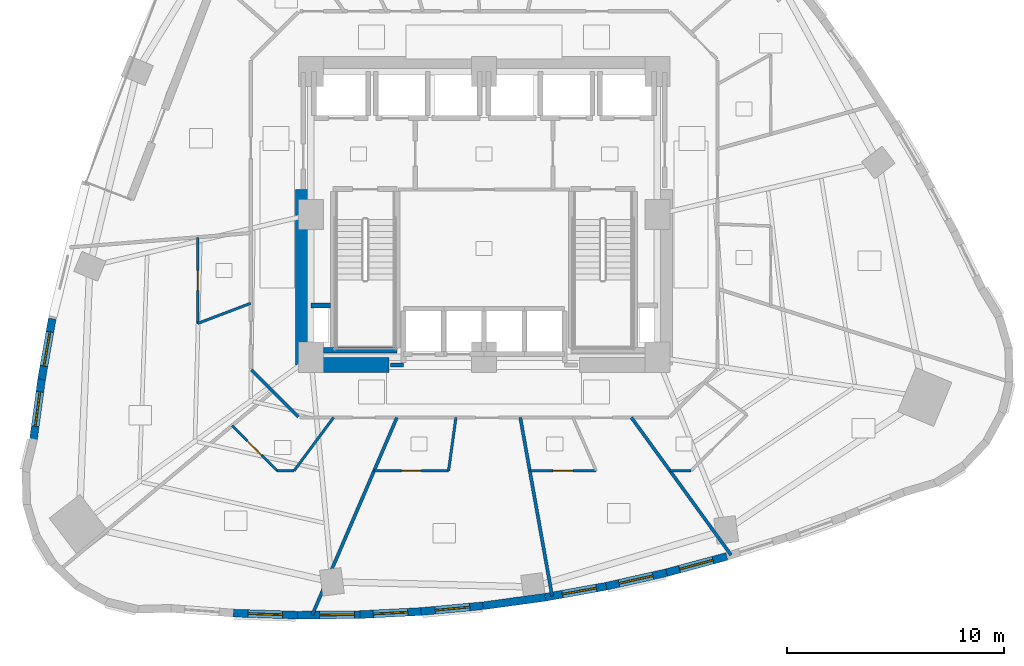
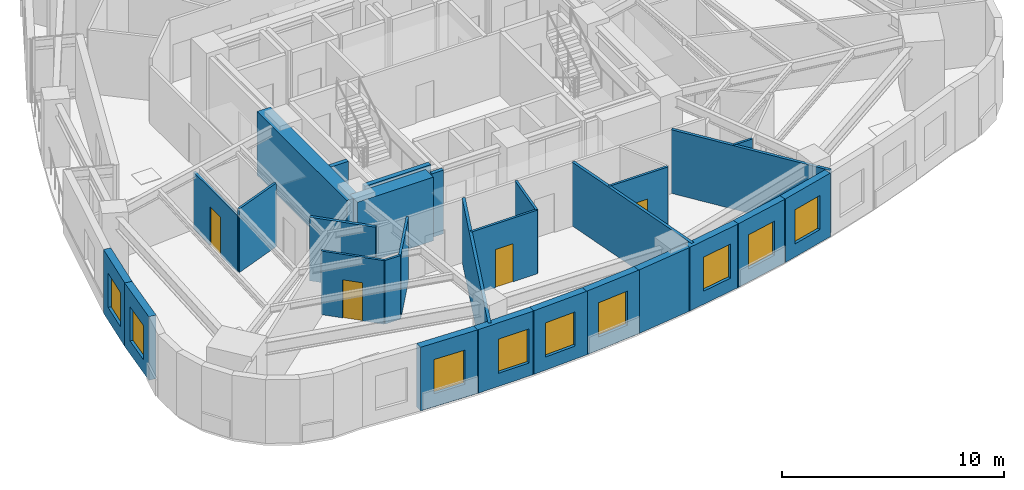
# One storey, part 5 of 12: 28 walls, 9 windows, 4 doors, 13 openings.
"""IFC4 building model written with IfcOpenShell, lengths in metres."""

import ifcopenshell
import ifcopenshell.guid

model = None  # the IFC model being written
_history = None  # IfcOwnerHistory: only IFC2X3 demands one
_inside = {}  # id of a spatial element -> (the spatial element, [elements in it])
_under = {}  # id of a project, library or spatial element -> (it, [spatial elements below it])
_declared = {}  # id of a project -> (the project, [libraries it declares])
_typed = {}  # id of a type object -> (the type object, [elements of that type])
_made_of = {}  # id of a material, layer set ... -> (it, [elements and type objects made of it])


def new_model(schema):
    """Start an empty IFC model of exactly this schema.

    Asked for "IFC4X3", IfcOpenShell would pick the latest addendum, in which some entities
    have other attributes; the version numbers below select the first issue.
    IFC2X3 requires an IfcOwnerHistory on every rooted entity: one is made here for all.
    """
    global model, _history
    if schema == "IFC4X3":
        model = ifcopenshell.file(schema_version=(4, 3, 0, 0))
    else:
        model = ifcopenshell.file(schema=schema)
    _inside.clear()
    _under.clear()
    _declared.clear()
    _typed.clear()
    _made_of.clear()
    _history = None
    if model.schema == "IFC2X3":
        org = make("IfcOrganization", Name="unknown")
        user = make(
            "IfcPersonAndOrganization",
            ThePerson=make("IfcPerson", FamilyName="unknown"),
            TheOrganization=org,
        )
        app = make(
            "IfcApplication",
            ApplicationDeveloper=org,
            Version="unknown",
            ApplicationFullName="unknown",
            ApplicationIdentifier="unknown",
        )
        _history = make(
            "IfcOwnerHistory",
            OwningUser=user,
            OwningApplication=app,
            ChangeAction="ADDED",
            CreationDate=0,
        )
    return model


def make(cls, **values):
    """One entity of the class cls with the attributes given. An attribute that is None is left unset."""
    return model.create_entity(
        cls, **{name: value for name, value in values.items() if value is not None}
    )


def rooted(cls, **values):
    """An entity with a GlobalId (a new one), such as an element, a storey or a relation."""
    return make(cls, GlobalId=ifcopenshell.guid.new(), OwnerHistory=_history, **values)


def si_unit(unit_type, name, prefix=None):
    """IfcSIUnit, for example si_unit("LENGTHUNIT", "METRE", prefix="MILLI")."""
    return make("IfcSIUnit", UnitType=unit_type, Prefix=prefix, Name=name)


def assignment(units):
    """IfcUnitAssignment: the units of a project."""
    return None if units is None else make("IfcUnitAssignment", Units=units)


def point(xyz):
    """IfcCartesianPoint."""
    return None if xyz is None else make("IfcCartesianPoint", Coordinates=xyz)


def direction(xyz):
    """IfcDirection."""
    return None if xyz is None else make("IfcDirection", DirectionRatios=xyz)


def frame(location, z_axis=None, x_axis=None):
    """IfcAxis2Placement3D, a coordinate frame: its origin and axes. An axis left out is left unset."""
    return make(
        "IfcAxis2Placement3D",
        Location=point(location),
        Axis=direction(z_axis),
        RefDirection=direction(x_axis),
    )


def frame_2d(location, x_axis=None):
    """IfcAxis2Placement2D, a coordinate frame in the plane: its origin and x axis."""
    return make(
        "IfcAxis2Placement2D", Location=point(location), RefDirection=direction(x_axis)
    )


def origin():
    """The frame at (0, 0, 0) with its axes left unset."""
    return frame((0.0, 0.0, 0.0))


def place(relative_to, where):
    """IfcLocalPlacement: puts the frame where relative to a parent placement (None: the world)."""
    return make(
        "IfcLocalPlacement", PlacementRelTo=relative_to, RelativePlacement=where
    )


def context(
    kind, dimensions, precision=None, world=None, true_north=None, identifier=None
):
    """IfcGeometricRepresentationContext, for example the 3D "Model" context."""
    return make(
        "IfcGeometricRepresentationContext",
        ContextIdentifier=identifier,
        ContextType=kind,
        CoordinateSpaceDimension=dimensions,
        Precision=precision,
        WorldCoordinateSystem=world,
        TrueNorth=true_north,
    )


def subcontext(parent, identifier, kind, view, scale=None):
    """IfcGeometricRepresentationSubContext, for example "Body" below "Model"."""
    return make(
        "IfcGeometricRepresentationSubContext",
        ContextIdentifier=identifier,
        ContextType=kind,
        ParentContext=parent,
        TargetScale=scale,
        TargetView=view,
    )


def project(units=None, contexts=None):
    """IfcProject with its units and contexts."""
    return rooted(
        "IfcProject",
        Name="project",
        RepresentationContexts=contexts,
        UnitsInContext=assignment(units),
    )


def spatial(cls, under=None, at=None, **own):
    """A site, building, storey or space (cls), placed at a placement, below another one or the project."""
    s = rooted(cls, ObjectPlacement=at, **own)
    if under is not None:
        _under.setdefault(under.id(), (under, []))[1].append(s)
    return s


def profile(cls, at=None, kind="AREA", **sizes):
    """A parametric profile (cls). Its sizes go by their IFC names, for example OverallWidth=200.0."""
    return make(cls, ProfileType=kind, Position=at, **sizes)


def rectangle(**sizes):
    """IfcRectangleProfileDef."""
    return profile("IfcRectangleProfileDef", **sizes)


def extrude(swept, where, along, depth):
    """IfcExtrudedAreaSolid: the profile swept, set in the frame where, extruded along a direction by depth."""
    return make(
        "IfcExtrudedAreaSolid",
        SweptArea=swept,
        Position=where,
        ExtrudedDirection=direction(along),
        Depth=depth,
    )


def shape(context_of_items, identifier, shape_type, items):
    """IfcShapeRepresentation: the items that make up one representation, for example the "Body"."""
    return make(
        "IfcShapeRepresentation",
        ContextOfItems=context_of_items,
        RepresentationIdentifier=identifier,
        RepresentationType=shape_type,
        Items=items,
    )


def material(Name=None, Category=None):
    """IfcMaterial."""
    return make("IfcMaterial", Name=Name, Category=Category)


def layer(
    of_material, thickness, ventilated=None, Name=None, Category=None, Priority=None
):
    """IfcMaterialLayer: one layer of a wall or slab, of a material (None: an air gap)."""
    return make(
        "IfcMaterialLayer",
        Material=of_material,
        LayerThickness=thickness,
        IsVentilated=ventilated,
        Name=Name,
        Category=Category,
        Priority=Priority,
    )


def layer_set(layers, Name=None):
    """IfcMaterialLayerSet."""
    return make("IfcMaterialLayerSet", MaterialLayers=layers, LayerSetName=Name)


def made_of(thing, what):
    """Note that an element or type object is made of a material, layer set ...; save() writes the relation."""
    if what is not None:
        _made_of.setdefault(what.id(), (what, []))[1].append(thing)
    return thing


def type_object(cls, material=None, **own):
    """A type object (cls), such as IfcWallType, which elements share."""
    return made_of(rooted(cls, **own), material)


def element(
    cls,
    number,
    at=None,
    inside=None,
    cuts=None,
    type_object=None,
    material=None,
    context=None,
    identifier="Body",
    shape_type=None,
    held_by="IfcProductDefinitionShape",
    body=None,
    shapes=None,
    **own,
):
    """One element of the class cls, such as IfcWall. Its Tag is "e" and its number.

    at: its placement. inside: the storey or other place that contains it. cuts: it is an
    opening in that element (IfcRelVoidsElement). A single representation is given by context,
    identifier, shape_type and body (its items); several are given by shapes. held_by: the class
    of the entity that holds the representations. save() writes the other relations.
    """
    e = rooted(cls, Tag="e%d" % number, ObjectPlacement=at, **own)
    if body is not None:
        shapes = [shape(context, identifier, shape_type, body)]
    if shapes is not None:
        e.Representation = make(held_by, Representations=shapes)
    if inside is not None:
        _inside.setdefault(inside.id(), (inside, []))[1].append(e)
    if cuts is not None:
        rooted(
            "IfcRelVoidsElement", RelatingBuildingElement=cuts, RelatedOpeningElement=e
        )
    if type_object is not None:
        _typed.setdefault(type_object.id(), (type_object, []))[1].append(e)
    return made_of(e, material)


def fill(opening, filler):
    """IfcRelFillsElement: the door or window that sits in an opening."""
    return rooted(
        "IfcRelFillsElement",
        RelatingOpeningElement=opening,
        RelatedBuildingElement=filler,
    )


def aggregate(whole, parts):
    """IfcRelAggregates: a whole, such as a stair, and the parts it consists of."""
    return rooted("IfcRelAggregates", RelatingObject=whole, RelatedObjects=parts)


def save(model, path):
    """Write the relations noted so far, then the file.

    IfcRelAggregates (storeys below a building ...), IfcRelContainedInSpatialStructure (elements
    in a storey), IfcRelDefinesByType, IfcRelAssociatesMaterial and IfcRelDeclares: one each for
    every whole, place, type object, material and project.
    """
    for whole, parts in _under.values():
        aggregate(whole, parts)
    for where, things in _inside.values():
        rooted(
            "IfcRelContainedInSpatialStructure",
            RelatedElements=things,
            RelatingStructure=where,
        )
    for kind, things in _typed.values():
        rooted("IfcRelDefinesByType", RelatedObjects=things, RelatingType=kind)
    for what, things in _made_of.values():
        rooted("IfcRelAssociatesMaterial", RelatedObjects=things, RelatingMaterial=what)
    for by, libraries in _declared.values():
        rooted("IfcRelDeclares", RelatingContext=by, RelatedDefinitions=libraries)
    model.write(path)


model = new_model("IFC4")

# Units and contexts
model_context = context("Model", 3, precision=1e-05, world=origin(), true_north=direction((0.0, 1.0)))
body_context = subcontext(model_context, "Body", "Model", "MODEL_VIEW")
ifc_project = project(units=[si_unit("LENGTHUNIT", "METRE"), si_unit("AREAUNIT", "SQUARE_METRE"), si_unit("VOLUMEUNIT", "CUBIC_METRE"), si_unit("PLANEANGLEUNIT", "RADIAN"), si_unit("MASSUNIT", "GRAM", prefix="KILO")], contexts=[model_context])

# Site, building, storey
site_placement = place(None, origin())
site = spatial("IfcSite", under=ifc_project, at=site_placement, CompositionType="ELEMENT")
building_placement = place(site_placement, origin())
building = spatial("IfcBuilding", under=site, at=building_placement, Name="Ndelora Gate Hotel", CompositionType="ELEMENT")
storey_placement = place(building_placement, frame((0.0, 0.0, 64.25)))
storey = spatial("IfcBuildingStorey", under=building, at=storey_placement, Name="L15", CompositionType="ELEMENT", Elevation=64.25)

# Wall, opening, window
ifc_material_1 = material(Name="Clay Brick Masonry", Category="masonry")
ifc_layer_1 = layer(ifc_material_1, 0.360107421875)
ifc_layer_set_1 = layer_set([ifc_layer_1], Name="Clay Brick Masonry")
wall_type_1 = type_object("IfcWallType", Name="WL-BRICK-360", PredefinedType="SOLIDWALL", material=ifc_layer_set_1)
wall_1_placement = place(storey_placement, frame((-20.43359375, -7.6171875, 0.0), z_axis=(0.0, 0.0, 1.0), x_axis=(0.173085595545, 0.984906785749, 0.0)))
wall_1 = element("IfcWall", 1, at=wall_1_placement, inside=storey, type_object=wall_type_1, Name="L15 Tower Brick Pier-and-Spandrel Wall TWR-17", PredefinedType="SOLIDWALL", context=body_context, shape_type="SweptSolid", body=[
    extrude(rectangle(XDim=2.846435546875, YDim=0.360107421875, at=frame_2d((1.42333984375, 0.0))), origin(), (0.0, 0.0, 1.0), 3.5),
])
opening_1_placement = place(wall_1_placement, frame((0.623291015625, 0.0, 0.719970703125)))
opening_1 = element("IfcOpeningElement", 2, at=opening_1_placement, cuts=wall_1, Name="Opening W03", PredefinedType="OPENING", context=body_context, shape_type="SweptSolid", body=[
    extrude(rectangle(XDim=1.60009765625, YDim=1.8798828125, at=frame_2d((0.800048828125, 0.93994140625))), frame((0.0, 0.18994140625, 0.0), z_axis=(0.0, -1.0, 0.0), x_axis=(1.0, 0.0, 0.0)), (0.0, 0.0, 1.0), 0.380126953125),
])
ifc_material_2 = material(Name="Insulated Low-E Double Glazing in Bronze Aluminium Frame", Category="aluminium")
window_type_1 = type_object("IfcWindowType", Name="WN-CORN-2100", PartitioningType="SINGLE_PANEL", PredefinedType="WINDOW", material=ifc_material_2)
window_1_placement = place(opening_1_placement, origin())
window_1 = element("IfcWindow", 3, at=window_1_placement, inside=storey, type_object=window_type_1, Name="L15 Deep-Set Brick-Pier Window W03", OverallHeight=1.8798828125, OverallWidth=1.60009765625, PartitioningType="SINGLE_PANEL", PredefinedType="WINDOW", context=body_context, shape_type="SweptSolid", body=[
    extrude(rectangle(XDim=1.60009765625, YDim=1.8798828125, at=frame_2d((0.800048828125, 0.93994140625))), frame((0.0, 0.030029296875, 0.0), z_axis=(0.0, -1.0, 0.0), x_axis=(1.0, 0.0, 0.0)), (0.0, 0.0, 1.0), 0.06005859375),
])
fill(opening_1, window_1)

wall_2_placement = place(storey_placement, frame((-20.811767578125, -10.411865234375, 0.0), z_axis=(0.0, 0.0, 1.0), x_axis=(0.134391985669, 0.990928248759, 0.0)))
wall_2 = element("IfcWall", 4, at=wall_2_placement, inside=storey, type_object=wall_type_1, Name="L15 Tower Brick Pier-and-Spandrel Wall TWR-18", PredefinedType="SOLIDWALL", context=body_context, shape_type="SweptSolid", body=[
    extrude(rectangle(XDim=2.870361328125, YDim=0.360107421875, at=frame_2d((1.43505859375, 0.0))), origin(), (0.0, 0.0, 1.0), 3.5),
])
opening_2_placement = place(wall_2_placement, frame((0.635009765625, 0.0, 0.719970703125)))
opening_2 = element("IfcOpeningElement", 5, at=opening_2_placement, cuts=wall_2, Name="Opening W01", PredefinedType="OPENING", context=body_context, shape_type="SweptSolid", body=[
    extrude(rectangle(XDim=1.60009765625, YDim=1.8798828125, at=frame_2d((0.800048828125, 0.93994140625))), frame((0.0, 0.18994140625, 0.0), z_axis=(0.0, -1.0, 0.0), x_axis=(1.0, 0.0, 0.0)), (0.0, 0.0, 1.0), 0.380126953125),
])
window_type_2 = type_object("IfcWindowType", Name="WN-DEEP-1600", PartitioningType="SINGLE_PANEL", PredefinedType="WINDOW", material=ifc_material_2)
window_2_placement = place(opening_2_placement, origin())
window_2 = element("IfcWindow", 6, at=window_2_placement, inside=storey, type_object=window_type_2, Name="L15 Deep-Set Brick-Pier Window W01", OverallHeight=1.8798828125, OverallWidth=1.60009765625, PartitioningType="SINGLE_PANEL", PredefinedType="WINDOW", context=body_context, shape_type="SweptSolid", body=[
    extrude(rectangle(XDim=1.60009765625, YDim=1.8798828125, at=frame_2d((0.800048828125, 0.93994140625))), frame((0.0, 0.030029296875, 0.0), z_axis=(0.0, -1.0, 0.0), x_axis=(1.0, 0.0, 0.0)), (0.0, 0.0, 1.0), 0.06005859375),
])
fill(opening_2, window_2)

wall_3_placement = place(storey_placement, frame((-8.622314453125, -18.507568359375, 0.0), z_axis=(0.0, 0.0, 1.0), x_axis=(-0.999456194292, 0.032974470283, 0.0)))
wall_3 = element("IfcWall", 7, at=wall_3_placement, inside=storey, type_object=wall_type_1, Name="L15 Tower Brick Pier-and-Spandrel Wall TWR-28", PredefinedType="SOLIDWALL", context=body_context, shape_type="SweptSolid", body=[
    extrude(rectangle(XDim=2.961669921875, YDim=0.360107421875, at=frame_2d((1.48095703125, 0.0))), origin(), (0.0, 0.0, 1.0), 3.5),
])
opening_3_placement = place(wall_3_placement, frame((0.6806640625, 0.0, 0.719970703125)))
opening_3 = element("IfcOpeningElement", 8, at=opening_3_placement, cuts=wall_3, Name="Opening W01", PredefinedType="OPENING", context=body_context, shape_type="SweptSolid", body=[
    extrude(rectangle(XDim=1.60009765625, YDim=1.8798828125, at=frame_2d((0.800048828125, 0.93994140625))), frame((0.0, 0.18994140625, 0.0), z_axis=(0.0, -1.0, 0.0), x_axis=(1.0, 0.0, 0.0)), (0.0, 0.0, 1.0), 0.380126953125),
])
window_3_placement = place(opening_3_placement, origin())
window_3 = element("IfcWindow", 9, at=window_3_placement, inside=storey, type_object=window_type_2, Name="L15 Deep-Set Brick-Pier Window W01", OverallHeight=1.8798828125, OverallWidth=1.60009765625, PartitioningType="SINGLE_PANEL", PredefinedType="WINDOW", context=body_context, shape_type="SweptSolid", body=[
    extrude(rectangle(XDim=1.60009765625, YDim=1.8798828125, at=frame_2d((0.800048828125, 0.93994140625))), frame((0.0, 0.030029296875, 0.0), z_axis=(0.0, -1.0, 0.0), x_axis=(1.0, 0.0, 0.0)), (0.0, 0.0, 1.0), 0.06005859375),
])
fill(opening_3, window_3)

wall_4_placement = place(storey_placement, frame((-5.731689453125, -18.481689453125, 0.0), z_axis=(0.0, 0.0, 1.0), x_axis=(-0.999962726619, -0.008633966257, 0.0)))
wall_4 = element("IfcWall", 10, at=wall_4_placement, inside=storey, type_object=wall_type_1, Name="L15 Tower Brick Pier-and-Spandrel Wall TWR-29", PredefinedType="SOLIDWALL", context=body_context, shape_type="SweptSolid", body=[
    extrude(rectangle(XDim=2.940673828125, YDim=0.360107421875, at=frame_2d((1.47021484375, 0.0))), origin(), (0.0, 0.0, 1.0), 3.5),
])
opening_4_placement = place(wall_4_placement, frame((0.260009765625, 0.0, 0.719970703125)))
opening_4 = element("IfcOpeningElement", 11, at=opening_4_placement, cuts=wall_4, Name="Opening W03", PredefinedType="OPENING", context=body_context, shape_type="SweptSolid", body=[
    extrude(rectangle(XDim=1.60009765625, YDim=1.8798828125, at=frame_2d((0.800048828125, 0.93994140625))), frame((0.0, 0.18994140625, 0.0), z_axis=(0.0, -1.0, 0.0), x_axis=(1.0, 0.0, 0.0)), (0.0, 0.0, 1.0), 0.380126953125),
])
window_4_placement = place(opening_4_placement, origin())
window_4 = element("IfcWindow", 12, at=window_4_placement, inside=storey, type_object=window_type_1, Name="L15 Deep-Set Brick-Pier Window W03", OverallHeight=1.8798828125, OverallWidth=1.60009765625, PartitioningType="SINGLE_PANEL", PredefinedType="WINDOW", context=body_context, shape_type="SweptSolid", body=[
    extrude(rectangle(XDim=1.60009765625, YDim=1.8798828125, at=frame_2d((0.800048828125, 0.93994140625))), frame((0.0, 0.030029296875, 0.0), z_axis=(0.0, -1.0, 0.0), x_axis=(1.0, 0.0, 0.0)), (0.0, 0.0, 1.0), 0.06005859375),
])
fill(opening_4, window_4)

wall_5_placement = place(storey_placement, frame((-2.860107421875, -18.335205078125, 0.0), z_axis=(0.0, 0.0, 1.0), x_axis=(-0.998716074647, -0.050657696775, 0.0)))
wall_5 = element("IfcWall", 13, at=wall_5_placement, inside=storey, type_object=wall_type_1, Name="L15 Tower Brick Pier-and-Spandrel Wall TWR-30", PredefinedType="SOLIDWALL", context=body_context, shape_type="SweptSolid", body=[
    extrude(rectangle(XDim=2.92529296875, YDim=0.360107421875, at=frame_2d((1.462646484375, 0.0))), origin(), (0.0, 0.0, 1.0), 3.5),
])
opening_5_placement = place(wall_5_placement, frame((0.66259765625, 0.0, 0.719970703125)))
opening_5 = element("IfcOpeningElement", 14, at=opening_5_placement, cuts=wall_5, Name="Opening W01", PredefinedType="OPENING", context=body_context, shape_type="SweptSolid", body=[
    extrude(rectangle(XDim=1.60009765625, YDim=1.8798828125, at=frame_2d((0.800048828125, 0.93994140625))), frame((0.0, 0.18994140625, 0.0), z_axis=(0.0, -1.0, 0.0), x_axis=(1.0, 0.0, 0.0)), (0.0, 0.0, 1.0), 0.380126953125),
])
window_5_placement = place(opening_5_placement, origin())
window_5 = element("IfcWindow", 15, at=window_5_placement, inside=storey, type_object=window_type_2, Name="L15 Deep-Set Brick-Pier Window W01", OverallHeight=1.8798828125, OverallWidth=1.60009765625, PartitioningType="SINGLE_PANEL", PredefinedType="WINDOW", context=body_context, shape_type="SweptSolid", body=[
    extrude(rectangle(XDim=1.60009765625, YDim=1.8798828125, at=frame_2d((0.800048828125, 0.93994140625))), frame((0.0, 0.030029296875, 0.0), z_axis=(0.0, -1.0, 0.0), x_axis=(1.0, 0.0, 0.0)), (0.0, 0.0, 1.0), 0.06005859375),
])
fill(opening_5, window_5)

wall_6_placement = place(storey_placement, frame((-0.0078125, -18.068115234375, 0.0), z_axis=(0.0, 0.0, 1.0), x_axis=(-0.995676208467, -0.092891807453, 0.0)))
wall_6 = element("IfcWall", 16, at=wall_6_placement, inside=storey, type_object=wall_type_1, Name="L15 Tower Brick Pier-and-Spandrel Wall TWR-31", PredefinedType="SOLIDWALL", context=body_context, shape_type="SweptSolid", body=[
    extrude(rectangle(XDim=2.914794921875, YDim=0.360107421875, at=frame_2d((1.45751953125, 0.0))), origin(), (0.0, 0.0, 1.0), 3.5),
])
opening_6_placement = place(wall_6_placement, frame((0.657470703125, 0.0, 0.719970703125)))
opening_6 = element("IfcOpeningElement", 17, at=opening_6_placement, cuts=wall_6, Name="Opening W01", PredefinedType="OPENING", context=body_context, shape_type="SweptSolid", body=[
    extrude(rectangle(XDim=1.60009765625, YDim=1.8798828125, at=frame_2d((0.800048828125, 0.93994140625))), frame((0.0, 0.18994140625, 0.0), z_axis=(0.0, -1.0, 0.0), x_axis=(1.0, 0.0, 0.0)), (0.0, 0.0, 1.0), 0.380126953125),
])
window_6_placement = place(opening_6_placement, origin())
window_6 = element("IfcWindow", 18, at=window_6_placement, inside=storey, type_object=window_type_2, Name="L15 Deep-Set Brick-Pier Window W01", OverallHeight=1.8798828125, OverallWidth=1.60009765625, PartitioningType="SINGLE_PANEL", PredefinedType="WINDOW", context=body_context, shape_type="SweptSolid", body=[
    extrude(rectangle(XDim=1.60009765625, YDim=1.8798828125, at=frame_2d((0.800048828125, 0.93994140625))), frame((0.0, 0.030029296875, 0.0), z_axis=(0.0, -1.0, 0.0), x_axis=(1.0, 0.0, 0.0)), (0.0, 0.0, 1.0), 0.06005859375),
])
fill(opening_6, window_6)

# Wall
wall_7_placement = place(storey_placement, frame((2.82568359375, -17.68017578125, 0.0), z_axis=(0.0, 0.0, 1.0), x_axis=(-0.990811267406, -0.13525173707, 0.0)))
element("IfcWall", 19, at=wall_7_placement, inside=storey, type_object=wall_type_1, Name="L15 Tower Brick Pier-and-Spandrel Wall TWR-32", PredefinedType="SOLIDWALL", context=body_context, shape_type="SweptSolid", body=[
    extrude(rectangle(XDim=2.909912109375, YDim=0.360107421875, at=frame_2d((1.455078125, 0.0))), origin(), (0.0, 0.0, 1.0), 3.5),
])

# Wall, opening, window
wall_8_placement = place(storey_placement, frame((5.6396484375, -17.17138671875, 0.0), z_axis=(0.0, 0.0, 1.0), x_axis=(-0.984113321651, -0.177541460364, 0.0)))
wall_8 = element("IfcWall", 20, at=wall_8_placement, inside=storey, type_object=wall_type_1, Name="L15 Tower Brick Pier-and-Spandrel Wall TWR-33", PredefinedType="SOLIDWALL", context=body_context, shape_type="SweptSolid", body=[
    extrude(rectangle(XDim=2.90966796875, YDim=0.360107421875, at=frame_2d((1.454833984375, 0.0))), origin(), (0.0, 0.0, 1.0), 3.5),
])
opening_7_placement = place(wall_8_placement, frame((0.4599609375, 0.0, 0.719970703125)))
opening_7 = element("IfcOpeningElement", 21, at=opening_7_placement, cuts=wall_8, Name="Opening W03", PredefinedType="OPENING", context=body_context, shape_type="SweptSolid", body=[
    extrude(rectangle(XDim=1.60009765625, YDim=1.8798828125, at=frame_2d((0.800048828125, 0.93994140625))), frame((0.0, 0.18994140625, 0.0), z_axis=(0.0, -1.0, 0.0), x_axis=(1.0, 0.0, 0.0)), (0.0, 0.0, 1.0), 0.380126953125),
])
window_7_placement = place(opening_7_placement, origin())
window_7 = element("IfcWindow", 22, at=window_7_placement, inside=storey, type_object=window_type_1, Name="L15 Deep-Set Brick-Pier Window W03", OverallHeight=1.8798828125, OverallWidth=1.60009765625, PartitioningType="SINGLE_PANEL", PredefinedType="WINDOW", context=body_context, shape_type="SweptSolid", body=[
    extrude(rectangle(XDim=1.60009765625, YDim=1.8798828125, at=frame_2d((0.800048828125, 0.93994140625))), frame((0.0, 0.030029296875, 0.0), z_axis=(0.0, -1.0, 0.0), x_axis=(1.0, 0.0, 0.0)), (0.0, 0.0, 1.0), 0.06005859375),
])
fill(opening_7, window_7)

wall_9_placement = place(storey_placement, frame((8.4345703125, -16.5419921875, 0.0), z_axis=(0.0, 0.0, 1.0), x_axis=(-0.975646064216, -0.219350763343, 0.0)))
wall_9 = element("IfcWall", 23, at=wall_9_placement, inside=storey, type_object=wall_type_1, Name="L15 Tower Brick Pier-and-Spandrel Wall TWR-34", PredefinedType="SOLIDWALL", context=body_context, shape_type="SweptSolid", body=[
    extrude(rectangle(XDim=2.9150390625, YDim=0.360107421875, at=frame_2d((1.45751953125, 0.0))), origin(), (0.0, 0.0, 1.0), 3.5),
])
opening_8_placement = place(wall_9_placement, frame((0.657470703125, 0.0, 0.719970703125)))
opening_8 = element("IfcOpeningElement", 24, at=opening_8_placement, cuts=wall_9, Name="Opening W01", PredefinedType="OPENING", context=body_context, shape_type="SweptSolid", body=[
    extrude(rectangle(XDim=1.60009765625, YDim=1.8798828125, at=frame_2d((0.800048828125, 0.93994140625))), frame((0.0, 0.18994140625, 0.0), z_axis=(0.0, -1.0, 0.0), x_axis=(1.0, 0.0, 0.0)), (0.0, 0.0, 1.0), 0.380126953125),
])
window_8_placement = place(opening_8_placement, origin())
window_8 = element("IfcWindow", 25, at=window_8_placement, inside=storey, type_object=window_type_2, Name="L15 Deep-Set Brick-Pier Window W01", OverallHeight=1.8798828125, OverallWidth=1.60009765625, PartitioningType="SINGLE_PANEL", PredefinedType="WINDOW", context=body_context, shape_type="SweptSolid", body=[
    extrude(rectangle(XDim=1.60009765625, YDim=1.8798828125, at=frame_2d((0.800048828125, 0.93994140625))), frame((0.0, 0.030029296875, 0.0), z_axis=(0.0, -1.0, 0.0), x_axis=(1.0, 0.0, 0.0)), (0.0, 0.0, 1.0), 0.06005859375),
])
fill(opening_8, window_8)

wall_10_placement = place(storey_placement, frame((11.210205078125, -15.7919921875, 0.0), z_axis=(0.0, 0.0, 1.0), x_axis=(-0.965457640719, -0.260560058292, 0.0)))
wall_10 = element("IfcWall", 26, at=wall_10_placement, inside=storey, type_object=wall_type_1, Name="L15 Tower Brick Pier-and-Spandrel Wall TWR-35", PredefinedType="SOLIDWALL", context=body_context, shape_type="SweptSolid", body=[
    extrude(rectangle(XDim=2.92529296875, YDim=0.360107421875, at=frame_2d((1.462646484375, 0.0))), origin(), (0.0, 0.0, 1.0), 3.5),
])
opening_9_placement = place(wall_10_placement, frame((0.66259765625, 0.0, 0.719970703125)))
opening_9 = element("IfcOpeningElement", 27, at=opening_9_placement, cuts=wall_10, Name="Opening W01", PredefinedType="OPENING", context=body_context, shape_type="SweptSolid", body=[
    extrude(rectangle(XDim=1.60009765625, YDim=1.8798828125, at=frame_2d((0.800048828125, 0.93994140625))), frame((0.0, 0.18994140625, 0.0), z_axis=(0.0, -1.0, 0.0), x_axis=(1.0, 0.0, 0.0)), (0.0, 0.0, 1.0), 0.380126953125),
])
window_9_placement = place(opening_9_placement, origin())
window_9 = element("IfcWindow", 28, at=window_9_placement, inside=storey, type_object=window_type_2, Name="L15 Deep-Set Brick-Pier Window W01", OverallHeight=1.8798828125, OverallWidth=1.60009765625, PartitioningType="SINGLE_PANEL", PredefinedType="WINDOW", context=body_context, shape_type="SweptSolid", body=[
    extrude(rectangle(XDim=1.60009765625, YDim=1.8798828125, at=frame_2d((0.800048828125, 0.93994140625))), frame((0.0, 0.030029296875, 0.0), z_axis=(0.0, -1.0, 0.0), x_axis=(1.0, 0.0, 0.0)), (0.0, 0.0, 1.0), 0.06005859375),
])
fill(opening_9, window_9)

# Walls
ifc_material_3 = material(Name="Concrete C60/75", Category="concrete")
ifc_layer_2 = layer(ifc_material_3, 0.699951171875)
ifc_layer_set_2 = layer_set([ifc_layer_2], Name="Concrete C60/75")
wall_type_2 = type_object("IfcWallType", Name="WL-CORE-700", PredefinedType="SHEAR", material=ifc_layer_set_2)
wall_11_placement = place(storey_placement, frame((-8.35009765625, -6.949951171875, 0.0), z_axis=(0.0, 0.0, 1.0), x_axis=(1.0, 0.0, 0.0)))
element("IfcWall", 29, at=wall_11_placement, inside=storey, type_object=wall_type_2, Name="L15 Core Shear Wall S-W", PredefinedType="SHEAR", context=body_context, shape_type="SweptSolid", body=[
    extrude(rectangle(XDim=3.9501953125, YDim=0.699951171875, at=frame_2d((1.97509765625, 0.0))), origin(), (0.0, 0.0, 1.0), 3.5),
])
wall_12_placement = place(storey_placement, frame((-8.35009765625, -6.949951171875, 0.0), z_axis=(0.0, 0.0, 1.0), x_axis=(0.0, 1.0, 0.0)))
element("IfcWall", 30, at=wall_12_placement, inside=storey, type_object=wall_type_2, Name="L15 Core Shear Wall W", PredefinedType="SHEAR", context=body_context, shape_type="SweptSolid", body=[
    extrude(rectangle(XDim=8.099853515625, YDim=0.699951171875, at=frame_2d((4.0498046875, 0.0))), origin(), (0.0, 0.0, 1.0), 3.5),
])
ifc_material_4 = material(Name="Concrete C40/50", Category="concrete")
ifc_layer_3 = layer(ifc_material_4, 0.199951171875)
ifc_layer_set_3 = layer_set([ifc_layer_3], Name="Concrete C40/50")
wall_type_3 = type_object("IfcWallType", Name="WL-FIRE-200", PredefinedType="PARTITIONING", material=ifc_layer_set_3)
wall_13_placement = place(storey_placement, frame((-4.320068359375, -6.949951171875, 0.0), z_axis=(0.0, 0.0, 1.0), x_axis=(1.0, 0.0, 0.0)))
element("IfcWall", 31, at=wall_13_placement, inside=storey, type_object=wall_type_3, Name="L15 Interior Wall IW-2", PredefinedType="PARTITIONING", context=body_context, shape_type="SweptSolid", body=[
    extrude(rectangle(XDim=0.60009765625, YDim=0.199951171875, at=frame_2d((0.300048828125, 0.0))), origin(), (0.0, 0.0, 1.0), 3.5),
])
ifc_material_5 = material(Name="Fire-Rated Gypsum Stud Partition", Category="gypsum")
ifc_layer_4 = layer(ifc_material_5, 0.14990234375)
ifc_layer_set_4 = layer_set([ifc_layer_4], Name="Fire-Rated Gypsum Stud Partition")
wall_type_4 = type_object("IfcWallType", Name="WL-PART-150", PredefinedType="PARTITIONING", material=ifc_layer_set_4)
wall_14_placement = place(storey_placement, frame((-8.578369140625, -9.351806640625, 0.0), z_axis=(0.0, 0.0, 1.0), x_axis=(-0.707067066127, 0.707146494016, 0.0)))
element("IfcWall", 32, at=wall_14_placement, inside=storey, type_object=wall_type_4, Name="L15 Interior Wall IW-5", PredefinedType="PARTITIONING", context=body_context, shape_type="SweptSolid", body=[
    extrude(rectangle(XDim=3.07373046875, YDim=0.14990234375, at=frame_2d((1.536865234375, 0.0))), origin(), (0.0, 0.0, 1.0), 3.5),
])
wall_15_placement = place(storey_placement, frame((-4.024658203125, -9.3798828125, 0.0), z_axis=(0.0, 0.0, 1.0), x_axis=(-0.394293336578, -0.918984637919, 0.0)))
element("IfcWall", 33, at=wall_15_placement, inside=storey, type_object=wall_type_4, Name="L15 Interior Wall IW-5", PredefinedType="PARTITIONING", context=body_context, shape_type="SweptSolid", body=[
    extrude(rectangle(XDim=9.9248046875, YDim=0.14990234375, at=frame_2d((4.96240234375, 0.0))), origin(), (0.0, 0.0, 1.0), 3.5),
])
wall_16_placement = place(storey_placement, frame((1.672607421875, -9.3798828125, 0.0), z_axis=(0.0, 0.0, 1.0), x_axis=(0.175581709481, -0.984464861382, 0.0)))
element("IfcWall", 34, at=wall_16_placement, inside=storey, type_object=wall_type_4, Name="L15 Interior Wall IW-5", PredefinedType="PARTITIONING", context=body_context, shape_type="SweptSolid", body=[
    extrude(rectangle(XDim=8.3720703125, YDim=0.14990234375, at=frame_2d((4.18603515625, 0.0))), origin(), (0.0, 0.0, 1.0), 3.5),
])
wall_17_placement = place(storey_placement, frame((6.802490234375, -9.3798828125, 0.0), z_axis=(0.0, 0.0, 1.0), x_axis=(0.587042045372, -0.809556444583, 0.0)))
element("IfcWall", 35, at=wall_17_placement, inside=storey, type_object=wall_type_4, Name="L15 Interior Wall IW-5", PredefinedType="PARTITIONING", context=body_context, shape_type="SweptSolid", body=[
    extrude(rectangle(XDim=7.8427734375, YDim=0.14990234375, at=frame_2d((3.92138671875, 0.0))), origin(), (0.0, 0.0, 1.0), 3.5),
])
ifc_layer_5 = layer(ifc_material_4, 0.219970703125)
ifc_layer_set_5 = layer_set([ifc_layer_5], Name="Concrete C40/50")
wall_type_5 = type_object("IfcWallType", Name="WL-SHAFT-220", PredefinedType="PARTITIONING", material=ifc_layer_set_5)
wall_18_placement = place(storey_placement, frame((-8.0, -4.199951171875, 0.0), z_axis=(0.0, 0.0, 1.0), x_axis=(1.0, 0.0, 0.0)))
element("IfcWall", 36, at=wall_18_placement, inside=storey, type_object=wall_type_5, Name="L15 Interior Wall IW-1", PredefinedType="PARTITIONING", context=body_context, shape_type="SweptSolid", body=[
    extrude(rectangle(XDim=0.909912109375, YDim=0.219970703125, at=frame_2d((0.455078125, 0.0))), origin(), (0.0, 0.0, 1.0), 3.5),
])
ifc_material_6 = material(Name="Concrete C50/60", Category="concrete")
ifc_layer_6 = layer(ifc_material_6, 0.239990234375)
ifc_layer_set_6 = layer_set([ifc_layer_6], Name="Concrete C50/60")
wall_type_6 = type_object("IfcWallType", Name="WL-STAIR-240", PredefinedType="SHEAR", material=ifc_layer_set_6)
wall_19_placement = place(storey_placement, frame((-7.425048828125, -6.27001953125, 0.0), z_axis=(0.0, 0.0, 1.0), x_axis=(1.0, 0.0, 0.0)))
element("IfcWall", 37, at=wall_19_placement, inside=storey, type_object=wall_type_6, Name="L15 Stair Core Shear Wall SW-ST", PredefinedType="SHEAR", context=body_context, shape_type="SweptSolid", body=[
    extrude(rectangle(XDim=3.4150390625, YDim=0.239990234375, at=frame_2d((1.70751953125, 0.0))), origin(), (0.0, 0.0, 1.0), 3.5),
])
ifc_material_7 = material(Name="Moisture-Resistant Bathroom Tile Partition", Category="gypsum")
ifc_layer_7 = layer(ifc_material_7, 0.1201171875)
ifc_layer_set_7 = layer_set([ifc_layer_7], Name="Moisture-Resistant Bathroom Tile Partition")
wall_type_7 = type_object("IfcWallType", Name="WL-WET-120", PredefinedType="PARTITIONING", material=ifc_layer_set_7)
wall_20_placement = place(storey_placement, frame((-10.780029296875, -4.103515625, 0.0), z_axis=(0.0, 0.0, 1.0), x_axis=(-0.93460718983, -0.355681600195, 0.0)))
element("IfcWall", 38, at=wall_20_placement, inside=storey, type_object=wall_type_7, Name="L15 Interior Wall IW-7", PredefinedType="PARTITIONING", context=body_context, shape_type="SweptSolid", body=[
    extrude(rectangle(XDim=2.621337890625, YDim=0.1201171875, at=frame_2d((1.310546875, 0.0))), origin(), (0.0, 0.0, 1.0), 3.5),
])

# Wall, opening, door
wall_21_placement = place(storey_placement, frame((-13.22998046875, -5.035888671875, 0.0), z_axis=(0.0, 0.0, 1.0), x_axis=(0.0, 1.0, 0.0)))
wall_21 = element("IfcWall", 39, at=wall_21_placement, inside=storey, type_object=wall_type_7, Name="L15 Interior Wall IW-7", PredefinedType="PARTITIONING", context=body_context, shape_type="SweptSolid", body=[
    extrude(rectangle(XDim=3.981689453125, YDim=0.1201171875, at=frame_2d((1.99072265625, 0.0))), origin(), (0.0, 0.0, 1.0), 3.1201171875),
])
opening_10_placement = place(wall_21_placement, frame((1.531005859375, 0.0, 0.0)))
opening_10 = element("IfcOpeningElement", 40, at=opening_10_placement, cuts=wall_21, Name="Opening D03", PredefinedType="OPENING", context=body_context, shape_type="SweptSolid", body=[
    extrude(rectangle(XDim=0.919921875, YDim=2.10009765625, at=frame_2d((0.4599609375, 1.050048828125))), frame((0.0, 0.070068359375, 0.0), z_axis=(0.0, -1.0, 0.0), x_axis=(1.0, 0.0, 0.0)), (0.0, 0.0, 1.0), 0.14013671875),
])
ifc_material_8 = material(Name="Moisture-Resistant Hardwood En-Suite Door", Category="wood")
door_type = type_object("IfcDoorType", Name="DR-BATH-920", OperationType="SINGLE_SWING_LEFT", PredefinedType="DOOR", material=ifc_material_8)
door_1_placement = place(opening_10_placement, origin())
door_1 = element("IfcDoor", 41, at=door_1_placement, inside=storey, type_object=door_type, Name="L15 En-suite Bathroom 1801 Door", OperationType="SINGLE_SWING_RIGHT", OverallHeight=2.10009765625, OverallWidth=0.919921875, PredefinedType="DOOR", context=body_context, shape_type="SweptSolid", body=[
    extrude(rectangle(XDim=0.919921875, YDim=2.10009765625, at=frame_2d((0.4599609375, 1.050048828125))), frame((0.0, 0.02490234375, 0.0), z_axis=(0.0, -1.0, 0.0), x_axis=(1.0, 0.0, 0.0)), (0.0, 0.0, 1.0), 0.050048828125),
])
fill(opening_10, door_1)

# Walls
wall_22_placement = place(storey_placement, frame((-8.76806640625, -11.830078125, 0.0), z_axis=(0.0, 0.0, 1.0), x_axis=(0.595378789074, 0.80344514282, 0.0)))
element("IfcWall", 42, at=wall_22_placement, inside=storey, type_object=wall_type_7, Name="L15 Interior Wall IW-7", PredefinedType="PARTITIONING", context=body_context, shape_type="SweptSolid", body=[
    extrude(rectangle(XDim=3.049560546875, YDim=0.1201171875, at=frame_2d((1.52490234375, 0.0))), origin(), (0.0, 0.0, 1.0), 3.5),
])
wall_23_placement = place(storey_placement, frame((-8.76806640625, -11.830078125, 0.0), z_axis=(0.0, 0.0, 1.0), x_axis=(-1.0, 0.0, 0.0)))
element("IfcWall", 43, at=wall_23_placement, inside=storey, type_object=wall_type_7, Name="L15 Interior Wall IW-7", PredefinedType="PARTITIONING", context=body_context, shape_type="SweptSolid", body=[
    extrude(rectangle(XDim=0.796630859375, YDim=0.1201171875, at=frame_2d((0.3984375, 0.0))), origin(), (0.0, 0.0, 1.0), 3.5),
])

# Wall, opening, door
wall_24_placement = place(storey_placement, frame((-9.564697265625, -11.830078125, 0.0), z_axis=(0.0, 0.0, 1.0), x_axis=(-0.707106781187, 0.707106781187, 0.0)))
wall_24 = element("IfcWall", 44, at=wall_24_placement, inside=storey, type_object=wall_type_7, Name="L15 Interior Wall IW-7", PredefinedType="PARTITIONING", context=body_context, shape_type="SweptSolid", body=[
    extrude(rectangle(XDim=2.9375, YDim=0.1201171875, at=frame_2d((1.46875, 0.0))), origin(), (0.0, 0.0, 1.0), 3.5),
])
opening_11_placement = place(wall_24_placement, frame((1.0087890625, 0.0, 0.0)))
opening_11 = element("IfcOpeningElement", 45, at=opening_11_placement, cuts=wall_24, Name="Opening D03", PredefinedType="OPENING", context=body_context, shape_type="SweptSolid", body=[
    extrude(rectangle(XDim=0.919921875, YDim=2.10009765625, at=frame_2d((0.4599609375, 1.050048828125))), frame((0.0, 0.070068359375, 0.0), z_axis=(0.0, -1.0, 0.0), x_axis=(1.0, 0.0, 0.0)), (0.0, 0.0, 1.0), 0.14013671875),
])
door_2_placement = place(opening_11_placement, origin())
door_2 = element("IfcDoor", 46, at=door_2_placement, inside=storey, type_object=door_type, Name="L15 En-suite Bathroom 1802 Door", OperationType="SINGLE_SWING_LEFT", OverallHeight=2.10009765625, OverallWidth=0.919921875, PredefinedType="DOOR", context=body_context, shape_type="SweptSolid", body=[
    extrude(rectangle(XDim=0.919921875, YDim=2.10009765625, at=frame_2d((0.4599609375, 1.050048828125))), frame((0.0, 0.02490234375, 0.0), z_axis=(0.0, -1.0, 0.0), x_axis=(1.0, 0.0, 0.0)), (0.0, 0.0, 1.0), 0.050048828125),
])
fill(opening_11, door_2)

# Wall
wall_25_placement = place(storey_placement, frame((-1.2998046875, -9.3798828125, 0.0), z_axis=(0.0, 0.0, 1.0), x_axis=(-0.137191795374, -0.990544502424, 0.0)))
element("IfcWall", 47, at=wall_25_placement, inside=storey, type_object=wall_type_7, Name="L15 Interior Wall IW-7", PredefinedType="PARTITIONING", context=body_context, shape_type="SweptSolid", body=[
    extrude(rectangle(XDim=2.4736328125, YDim=0.1201171875, at=frame_2d((1.23681640625, 0.0))), origin(), (0.0, 0.0, 1.0), 3.5),
])

# Wall, opening, door
wall_26_placement = place(storey_placement, frame((-1.63916015625, -11.830078125, 0.0), z_axis=(0.0, 0.0, 1.0), x_axis=(-1.0, 0.0, 0.0)))
wall_26 = element("IfcWall", 48, at=wall_26_placement, inside=storey, type_object=wall_type_7, Name="L15 Interior Wall IW-7", PredefinedType="PARTITIONING", context=body_context, shape_type="SweptSolid", body=[
    extrude(rectangle(XDim=3.4365234375, YDim=0.1201171875, at=frame_2d((1.71826171875, 0.0))), origin(), (0.0, 0.0, 1.0), 3.5),
])
opening_12_placement = place(wall_26_placement, frame((1.25830078125, 0.0, 0.0)))
opening_12 = element("IfcOpeningElement", 49, at=opening_12_placement, cuts=wall_26, Name="Opening D03", PredefinedType="OPENING", context=body_context, shape_type="SweptSolid", body=[
    extrude(rectangle(XDim=0.919921875, YDim=2.10009765625, at=frame_2d((0.4599609375, 1.050048828125))), frame((0.0, 0.070068359375, 0.0), z_axis=(0.0, -1.0, 0.0), x_axis=(1.0, 0.0, 0.0)), (0.0, 0.0, 1.0), 0.14013671875),
])
door_3_placement = place(opening_12_placement, origin())
door_3 = element("IfcDoor", 50, at=door_3_placement, inside=storey, type_object=door_type, Name="L15 En-suite Bathroom 1803 Door", OperationType="SINGLE_SWING_RIGHT", OverallHeight=2.10009765625, OverallWidth=0.919921875, PredefinedType="DOOR", context=body_context, shape_type="SweptSolid", body=[
    extrude(rectangle(XDim=0.919921875, YDim=2.10009765625, at=frame_2d((0.4599609375, 1.050048828125))), frame((0.0, 0.02490234375, 0.0), z_axis=(0.0, -1.0, 0.0), x_axis=(1.0, 0.0, 0.0)), (0.0, 0.0, 1.0), 0.050048828125),
])
fill(opening_12, door_3)

wall_27_placement = place(storey_placement, frame((5.171142578125, -11.830078125, 0.0), z_axis=(0.0, 0.0, 1.0), x_axis=(-1.0, 0.0, 0.0)))
wall_27 = element("IfcWall", 51, at=wall_27_placement, inside=storey, type_object=wall_type_7, Name="L15 Interior Wall IW-7", PredefinedType="PARTITIONING", context=body_context, shape_type="SweptSolid", body=[
    extrude(rectangle(XDim=3.0615234375, YDim=0.1201171875, at=frame_2d((1.53076171875, 0.0))), origin(), (0.0, 0.0, 1.0), 3.5),
])
opening_13_placement = place(wall_27_placement, frame((1.07080078125, 0.0, 0.0)))
opening_13 = element("IfcOpeningElement", 52, at=opening_13_placement, cuts=wall_27, Name="Opening D03", PredefinedType="OPENING", context=body_context, shape_type="SweptSolid", body=[
    extrude(rectangle(XDim=0.919921875, YDim=2.10009765625, at=frame_2d((0.4599609375, 1.050048828125))), frame((0.0, 0.070068359375, 0.0), z_axis=(0.0, -1.0, 0.0), x_axis=(1.0, 0.0, 0.0)), (0.0, 0.0, 1.0), 0.14013671875),
])
door_4_placement = place(opening_13_placement, origin())
door_4 = element("IfcDoor", 53, at=door_4_placement, inside=storey, type_object=door_type, Name="L15 En-suite Bathroom 1804 Door", OperationType="SINGLE_SWING_LEFT", OverallHeight=2.10009765625, OverallWidth=0.919921875, PredefinedType="DOOR", context=body_context, shape_type="SweptSolid", body=[
    extrude(rectangle(XDim=0.919921875, YDim=2.10009765625, at=frame_2d((0.4599609375, 1.050048828125))), frame((0.0, 0.02490234375, 0.0), z_axis=(0.0, -1.0, 0.0), x_axis=(1.0, 0.0, 0.0)), (0.0, 0.0, 1.0), 0.050048828125),
])
fill(opening_13, door_4)

# Wall
wall_28_placement = place(storey_placement, frame((8.5791015625, -11.830078125, 0.0), z_axis=(0.0, 0.0, 1.0), x_axis=(1.0, 0.0, 0.0)))
element("IfcWall", 54, at=wall_28_placement, inside=storey, type_object=wall_type_7, Name="L15 Interior Wall IW-7", PredefinedType="PARTITIONING", context=body_context, shape_type="SweptSolid", body=[
    extrude(rectangle(XDim=0.985595703125, YDim=0.1201171875, at=frame_2d((0.49267578125, 0.0))), origin(), (0.0, 0.0, 1.0), 3.5),
])

save(model, "model.ifc")
